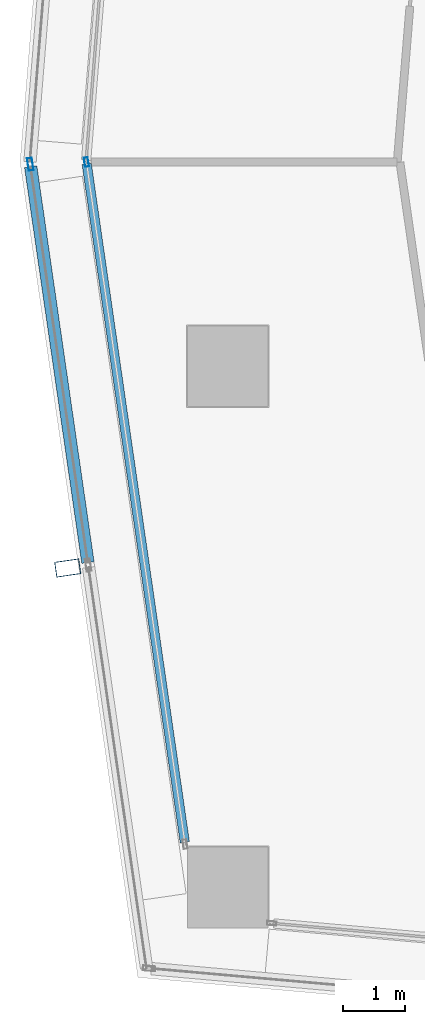
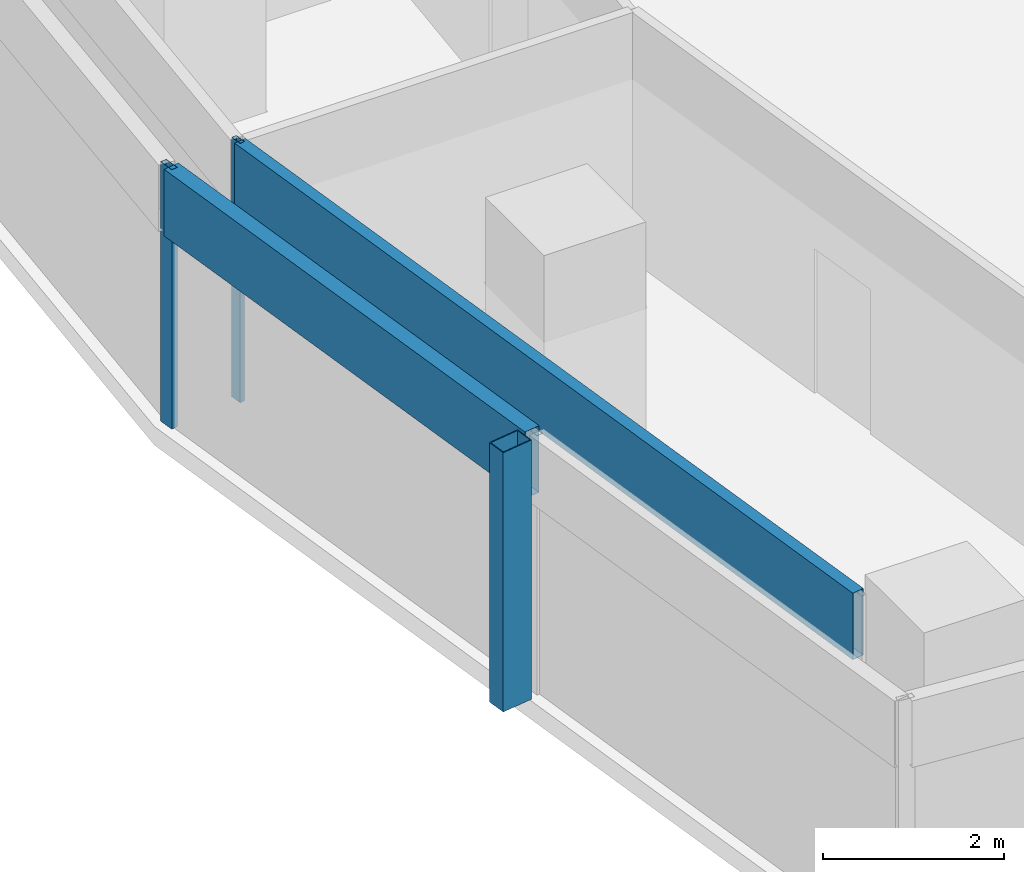
# One storey, part 4 of 29: 5 members, 2 elements without a shape of their own.
"""IFC4 building model written with IfcOpenShell, lengths in metres."""

from ifc_helpers import new_model, si_unit, direction, frame, origin, origin_2d, place, context, subcontext, project, spatial, hollow_rectangle, extrude, material, material_profile, profile_set, type_object, element, aggregate, save


model = new_model("IFC4")

# Units and contexts
model_context = context("Model", 3, precision=1e-05, world=origin(), true_north=direction((0.0, 1.0)))
body_context = subcontext(model_context, "Body", "Model", "MODEL_VIEW")
ifc_project = project(units=[si_unit("LENGTHUNIT", "METRE"), si_unit("AREAUNIT", "SQUARE_METRE"), si_unit("VOLUMEUNIT", "CUBIC_METRE"), si_unit("PLANEANGLEUNIT", "RADIAN"), si_unit("MASSUNIT", "GRAM", prefix="KILO")], contexts=[model_context])

# Site, building, storey
site_placement = place(None, origin())
site = spatial("IfcSite", under=ifc_project, at=site_placement, CompositionType="ELEMENT")
building_placement = place(site_placement, origin())
building = spatial("IfcBuilding", under=site, at=building_placement, Name="Rekha Terrace Tower", CompositionType="ELEMENT")
storey_placement = place(building_placement, frame((0.0, 0.0, 261.35009765625)))
storey = spatial("IfcBuildingStorey", under=building, at=storey_placement, Name="L66", CompositionType="ELEMENT", Elevation=261.35009765625)

# Curtain wall, member
ifc_material_1 = material(Name="Aluminium framing", Category="aluminium")
curtain_wall_type_1 = type_object("IfcCurtainWallType", Name="CW2 double skin outer glazing", PredefinedType="USERDEFINED", material=ifc_material_1)
curtain_wall_1_placement = place(storey_placement, origin())
curtain_wall_1 = element("IfcCurtainWall", 1, at=curtain_wall_1_placement, inside=storey, type_object=curtain_wall_type_1, Name="CW2 double skin outer glazing", ObjectType="DOUBLE SKIN OUTER GLAZING", PredefinedType="USERDEFINED")
ifc_material_2 = material(Name="Steel S355 with fluorocarbon finish", Category="steel")
ifc_material_profile_1 = material_profile(ifc_material_2, hollow_rectangle(XDim=0.25, YDim=0.39990234375, WallThickness=0.012451171875, at=origin_2d()), Name="RHS400x250x12.5")
ifc_profile_set_1 = profile_set([ifc_material_profile_1], Name="Steel S355 with fluorocarbon finish")
member_type_1 = type_object("IfcMemberType", Name="BL1 facade blade RHS 400 x 250", PredefinedType="USERDEFINED", material=ifc_profile_set_1)
member_1_placement = place(storey_placement, frame((5.819091796875, 21.94873046875, 0.0), z_axis=(0.0, 0.0, 1.0), x_axis=(0.143109157841, -0.989706910627, 0.0)))
member_1 = element("IfcMember", 2, at=member_1_placement, type_object=member_type_1, Name="Facade blade", ObjectType="FACADE BLADE", PredefinedType="USERDEFINED", context=body_context, shape_type="SweptSolid", body=[
    extrude(hollow_rectangle(XDim=0.25, YDim=0.39990234375, WallThickness=0.012451171875, at=origin_2d()), origin(), (0.0, 0.0, 1.0), 3.5),
])

# Curtain wall, members
curtain_wall_type_2 = type_object("IfcCurtainWallType", Name="CW1 double skin inner glazing", PredefinedType="USERDEFINED", material=ifc_material_1)
curtain_wall_2_placement = place(storey_placement, origin())
curtain_wall_2 = element("IfcCurtainWall", 3, at=curtain_wall_2_placement, inside=storey, type_object=curtain_wall_type_2, Name="CW1 double skin inner glazing", ObjectType="DOUBLE SKIN INNER GLAZING", PredefinedType="USERDEFINED")
ifc_material_3 = material(Name="Aluminium mullion section", Category="aluminium")
ifc_material_profile_2 = material_profile(ifc_material_3, hollow_rectangle(XDim=0.06494140625, YDim=0.14990234375, WallThickness=0.00390625, at=origin_2d()), Name="AL RHS 65x150")
ifc_profile_set_2 = profile_set([ifc_material_profile_2], Name="Aluminium mullion section")
member_type_2 = type_object("IfcMemberType", Name="CW1 mullion RHS 65 x 150", PredefinedType="MULLION", material=ifc_profile_set_2)
member_2_placement = place(storey_placement, frame((6.120849609375, 28.4912109375, 0.0), z_axis=(0.0, 0.0, 1.0), x_axis=(0.989707031394, 0.143108322643, 0.0)))
member_2 = element("IfcMember", 4, at=member_2_placement, type_object=member_type_2, Name="CW1 mullion 1", PredefinedType="MULLION", context=body_context, shape_type="SweptSolid", body=[
    extrude(hollow_rectangle(XDim=0.06494140625, YDim=0.14990234375, WallThickness=0.00390625, at=origin_2d()), origin(), (0.0, 0.0, 1.0), 3.5),
])
ifc_material_4 = material(Name="Insulated aluminium spandrel box", Category="aluminium")
ifc_material_profile_3 = material_profile(ifc_material_4, hollow_rectangle(XDim=0.14990234375, YDim=0.89990234375, WallThickness=0.0029296875, at=origin_2d()), Name="AL SPANDREL BOX 150x900")
ifc_profile_set_3 = profile_set([ifc_material_profile_3], Name="Insulated aluminium spandrel box")
member_type_3 = type_object("IfcMemberType", Name="CW1 spandrel transom 150 x 900", PredefinedType="USERDEFINED", material=ifc_profile_set_3)
member_3_placement = place(storey_placement, frame((6.12548828125, 28.458984375, 3.0498046875), z_axis=(0.143104894735, -0.989707527052, 0.0), x_axis=(0.989707527052, 0.143104894735, 0.0)))
member_3 = element("IfcMember", 5, at=member_3_placement, type_object=member_type_3, Name="CW1 spandrel transom 1", ObjectType="TRANSOM", PredefinedType="USERDEFINED", context=body_context, shape_type="SweptSolid", body=[
    extrude(hollow_rectangle(XDim=0.14990234375, YDim=0.89990234375, WallThickness=0.0029296875, at=origin_2d()), origin(), (0.0, 0.0, 1.0), 11.043212890625),
])
aggregate(curtain_wall_2, [member_2, member_3])

# Member
ifc_material_profile_4 = material_profile(ifc_material_3, hollow_rectangle(XDim=0.080078125, YDim=0.199951171875, WallThickness=0.00390625, at=origin_2d()), Name="AL RHS 80x200")
ifc_profile_set_4 = profile_set([ifc_material_profile_4], Name="Aluminium mullion section")
member_type_4 = type_object("IfcMemberType", Name="CW2 mullion RHS 80 x 200", PredefinedType="MULLION", material=ifc_profile_set_4)
member_4_placement = place(storey_placement, frame((5.216552734375, 28.455322265625, 0.0), z_axis=(0.0, 0.0, 1.0), x_axis=(0.989707031389, 0.143108322678, 0.0)))
member_4 = element("IfcMember", 6, at=member_4_placement, type_object=member_type_4, Name="CW2 mullion 1", PredefinedType="MULLION", context=body_context, shape_type="SweptSolid", body=[
    extrude(hollow_rectangle(XDim=0.080078125, YDim=0.199951171875, WallThickness=0.00390625, at=origin_2d()), origin(), (0.0, 0.0, 1.0), 3.5),
])

ifc_material_profile_5 = material_profile(ifc_material_4, hollow_rectangle(XDim=0.199951171875, YDim=0.89990234375, WallThickness=0.0029296875, at=origin_2d()), Name="AL SPANDREL BOX 200x900")
ifc_profile_set_5 = profile_set([ifc_material_profile_5], Name="Insulated aluminium spandrel box")
member_type_5 = type_object("IfcMemberType", Name="CW2 spandrel transom 200 x 900", PredefinedType="USERDEFINED", material=ifc_profile_set_5)
member_5_placement = place(storey_placement, frame((5.222412109375, 28.415771484375, 3.0498046875), z_axis=(0.143091438807, -0.989709472593, 0.0), x_axis=(0.989709472593, 0.143091438807, 0.0)))
member_5 = element("IfcMember", 7, at=member_5_placement, type_object=member_type_5, Name="CW2 spandrel transom 1", ObjectType="TRANSOM", PredefinedType="USERDEFINED", context=body_context, shape_type="SweptSolid", body=[
    extrude(hollow_rectangle(XDim=0.199951171875, YDim=0.89990234375, WallThickness=0.0029296875, at=origin_2d()), origin(), (0.0, 0.0, 1.0), 6.446044921875),
])

aggregate(curtain_wall_1, [member_4, member_5, member_1])

save(model, "model.ifc")
